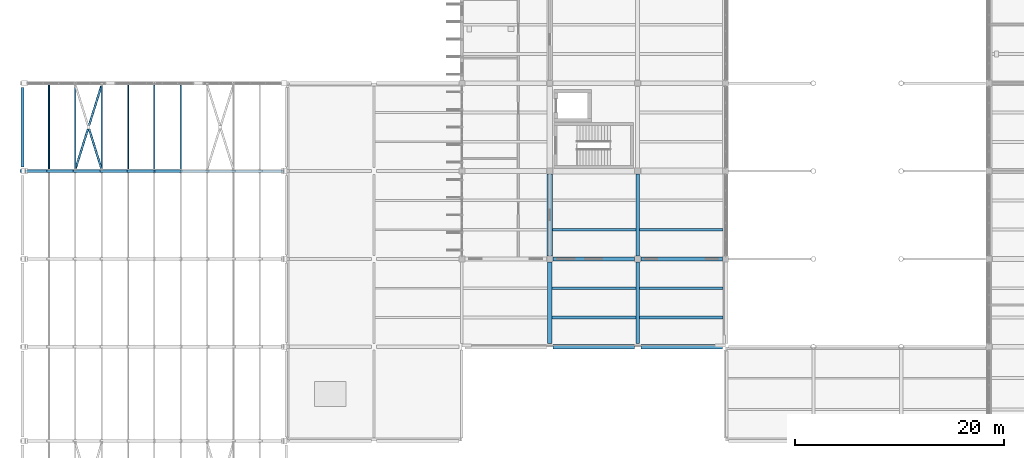
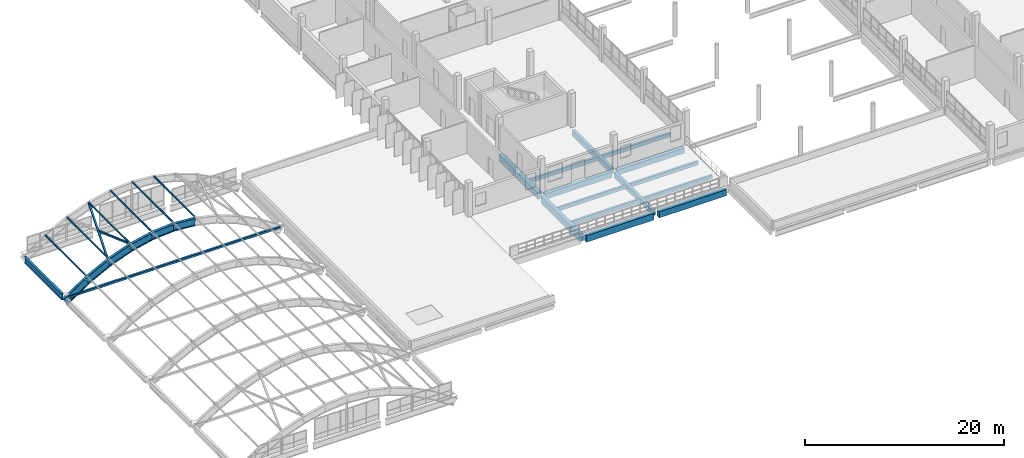
# One storey, part 14 of 130: 21 beams, 9 members.
"""IFC4 building model written with IfcOpenShell, lengths in metres."""

from ifc_helpers import new_model, si_unit, direction, frame, origin, origin_2d, place, context, subcontext, project, spatial, rectangle, hollow_rectangle, i_section, extrude, material, material_profile, profile_set, type_object, element, save


model = new_model("IFC4")

# Units and contexts
model_context = context("Model", 3, precision=1e-05, world=origin(), true_north=direction((0.0, 1.0)))
body_context = subcontext(model_context, "Body", "Model", "MODEL_VIEW")
ifc_project = project(units=[si_unit("LENGTHUNIT", "METRE"), si_unit("AREAUNIT", "SQUARE_METRE"), si_unit("VOLUMEUNIT", "CUBIC_METRE"), si_unit("PLANEANGLEUNIT", "RADIAN"), si_unit("MASSUNIT", "GRAM", prefix="KILO")], contexts=[model_context])

# Site, building, storey
site_placement = place(None, origin())
site = spatial("IfcSite", under=ifc_project, at=site_placement, CompositionType="ELEMENT")
building_placement = place(site_placement, origin())
building = spatial("IfcBuilding", under=site, at=building_placement, Name="Vireocrest Preparatory School", CompositionType="ELEMENT")
storey_placement = place(building_placement, frame((0.0, 0.0, 9.0)))
storey = spatial("IfcBuildingStorey", under=building, at=storey_placement, Name="L02", CompositionType="ELEMENT", Elevation=9.0)

# Members
ifc_material_1 = material(Name="Structural steel ASTM A500 Grade C", Category="steel")
ifc_material_profile_1 = material_profile(ifc_material_1, hollow_rectangle(XDim=0.15234375, YDim=0.15234375, WallThickness=0.0087890625, InnerFilletRadius=0.0087890625, OuterFilletRadius=0.017822265625, at=origin_2d()), Name="HSS6X6X3/8")
ifc_profile_set_1 = profile_set([ifc_material_profile_1], Name="Structural steel ASTM A500 Grade C")
member_type_1 = type_object("IfcMemberType", Name="Barrel Vault Steel Purlin HSS6X6X3/8", PredefinedType="PURLIN", material=ifc_profile_set_1)
for number, where, z_axis, x_axis, name in (
    (1, (2.52001953125, 43.947509765625, 1.32177734375), (0.0, 1.0, 0.0), (-1.0, 0.0, 0.0), "Sports Hall Barrel Vault Roof Purlin 5-2"),
    (2, (5.0400390625, 43.947509765625, 2.620849609375), (0.0, 1.0, 0.0), (-1.0, 0.0, 0.0), "Sports Hall Barrel Vault Roof Purlin 5-3"),
    (3, (7.56005859375, 43.947509765625, 3.552001953125), (0.0, 1.0, 0.0), (-1.0, 0.0, 0.0), "Sports Hall Barrel Vault Roof Purlin 5-4"),
    (4, (10.080078125, 43.947509765625, 4.114990234375), (0.0, 1.0, 0.0), (-1.0, 0.0, 0.0), "Sports Hall Barrel Vault Roof Purlin 5-5"),
    (5, (12.60009765625, 43.947509765625, 4.310302734375), (0.0, 1.0, 0.0), (-1.0, 0.0, 0.0), "Sports Hall Barrel Vault Roof Purlin 5-6"),
    (6, (15.1201171875, 43.947509765625, 4.114990234375), (0.0, 1.0, 0.0), (-1.0, 0.0, 0.0), "Sports Hall Barrel Vault Roof Purlin 5-7"),
):
    element("IfcMember", number, at=place(storey_placement, frame(where, z_axis=z_axis, x_axis=x_axis)), inside=storey, type_object=member_type_1, Name=name, PredefinedType="PURLIN", context=body_context, shape_type="SweptSolid", body=[
        extrude(hollow_rectangle(XDim=0.15234375, YDim=0.15234375, WallThickness=0.0087890625, InnerFilletRadius=0.0087890625, OuterFilletRadius=0.017822265625, at=origin_2d()), origin(), (0.0, 0.0, 1.0), 8.10498046875),
    ])

# Beams
ifc_material_2 = material(Name="Concrete 40 MPa", Category="concrete")
ifc_material_profile_2 = material_profile(ifc_material_2, rectangle(XDim=0.35009765625, YDim=0.64990234375, at=origin_2d()), Name="RC 350x650")
ifc_profile_set_2 = profile_set([ifc_material_profile_2], Name="Concrete 40 MPa")
beam_type_1 = type_object("IfcBeamType", Name="RC Classroom Girder 350x650", PredefinedType="BEAM", material=ifc_profile_set_2)
beam_1_placement = place(storey_placement, frame((58.800048828125, 27.300048828125, -0.64501953125), z_axis=(0.0, 1.0, 0.0), x_axis=(-1.0, 0.0, 0.0)))
element("IfcBeam", 7, at=beam_1_placement, inside=storey, type_object=beam_type_1, Name="Primary Girder B05 L02-0808", PredefinedType="BEAM", context=body_context, shape_type="SweptSolid", body=[
    extrude(rectangle(XDim=0.35009765625, YDim=0.64990234375, at=origin_2d()), origin(), (0.0, 0.0, 1.0), 7.800048828125),
])
ifc_material_profile_3 = material_profile(ifc_material_2, rectangle(XDim=0.449951171875, YDim=0.85009765625, at=origin_2d()), Name="RC 450x850")
ifc_profile_set_3 = profile_set([ifc_material_profile_3], Name="Concrete 40 MPa")
beam_type_2 = type_object("IfcBeamType", Name="RC Heavy Floor Girder 450x850", PredefinedType="BEAM", material=ifc_profile_set_3)
beam_2_placement = place(storey_placement, frame((50.39990234375, 27.300048828125, -0.7451171875), z_axis=(0.0, 1.0, 0.0), x_axis=(-1.0, 0.0, 0.0)))
element("IfcBeam", 8, at=beam_2_placement, inside=storey, type_object=beam_type_2, Name="Primary Girder B13 L02-0798", PredefinedType="BEAM", context=body_context, shape_type="SweptSolid", body=[
    extrude(rectangle(XDim=0.449951171875, YDim=0.85009765625, at=origin_2d()), origin(), (0.0, 0.0, 1.0), 7.800048828125),
])
ifc_material_profile_4 = material_profile(ifc_material_2, rectangle(XDim=0.35009765625, YDim=0.699951171875, at=origin_2d()), Name="RC 350x700")
ifc_profile_set_4 = profile_set([ifc_material_profile_4], Name="Concrete 40 MPa")
beam_type_3 = type_object("IfcBeamType", Name="RC Laboratory Girder 350x700", PredefinedType="BEAM", material=ifc_profile_set_4)
for number, where, z_axis, x_axis, name in (
    (9, (50.699951171875, 35.39990234375, -0.669921875), (1.0, 0.0, 0.0), (0.0, 1.0, 0.0), "Primary Girder B06 L02-0706"),
    (10, (58.800048828125, 35.699951171875, -0.590087890625), (0.0, 1.0, 0.0), (-1.0, 0.0, 0.0), "Primary Girder B06 L02-0809"),
):
    element("IfcBeam", number, at=place(storey_placement, frame(where, z_axis=z_axis, x_axis=x_axis)), inside=storey, type_object=beam_type_3, Name=name, PredefinedType="BEAM", context=body_context, shape_type="SweptSolid", body=[
        extrude(rectangle(XDim=0.35009765625, YDim=0.699951171875, at=origin_2d()), origin(), (0.0, 0.0, 1.0), 7.800048828125),
    ])
ifc_material_profile_5 = material_profile(ifc_material_2, rectangle(XDim=0.39990234375, YDim=0.64990234375, at=origin_2d()), Name="RC 400x650")
ifc_profile_set_5 = profile_set([ifc_material_profile_5], Name="Concrete 40 MPa")
beam_type_4 = type_object("IfcBeamType", Name="RC Laboratory Girder 400x650", PredefinedType="BEAM", material=ifc_profile_set_5)
beam_3_placement = place(storey_placement, frame((59.10009765625, 35.39990234375, -0.64501953125), z_axis=(1.0, 0.0, 0.0), x_axis=(0.0, 1.0, 0.0)))
element("IfcBeam", 11, at=beam_3_placement, inside=storey, type_object=beam_type_4, Name="Primary Girder B07 L02-0707", PredefinedType="BEAM", context=body_context, shape_type="SweptSolid", body=[
    extrude(rectangle(XDim=0.39990234375, YDim=0.64990234375, at=origin_2d()), origin(), (0.0, 0.0, 1.0), 7.7998046875),
])
ifc_material_profile_6 = material_profile(ifc_material_2, rectangle(XDim=0.39990234375, YDim=0.800048828125, at=origin_2d()), Name="RC 400x800")
ifc_profile_set_6 = profile_set([ifc_material_profile_6], Name="Concrete 40 MPa")
beam_type_5 = type_object("IfcBeamType", Name="RC Library Reading Girder 400x800", PredefinedType="BEAM", material=ifc_profile_set_6)
beam_4_placement = place(storey_placement, frame((50.699951171875, 27.0, -0.719970703125), z_axis=(1.0, 0.0, 0.0), x_axis=(0.0, 1.0, 0.0)))
element("IfcBeam", 12, at=beam_4_placement, inside=storey, type_object=beam_type_5, Name="Primary Girder B10 L02-0692", PredefinedType="BEAM", context=body_context, shape_type="SweptSolid", body=[
    extrude(rectangle(XDim=0.39990234375, YDim=0.800048828125, at=origin_2d()), origin(), (0.0, 0.0, 1.0), 7.800048828125),
])
ifc_material_profile_7 = material_profile(ifc_material_2, rectangle(XDim=0.449951171875, YDim=0.75, at=origin_2d()), Name="RC 450x750")
ifc_profile_set_7 = profile_set([ifc_material_profile_7], Name="Concrete 40 MPa")
beam_type_6 = type_object("IfcBeamType", Name="RC Library Stack Girder 450x750", PredefinedType="BEAM", material=ifc_profile_set_7)
beam_5_placement = place(storey_placement, frame((59.10009765625, 27.0, -0.695068359375), z_axis=(1.0, 0.0, 0.0), x_axis=(0.0, 1.0, 0.0)))
element("IfcBeam", 13, at=beam_5_placement, inside=storey, type_object=beam_type_6, Name="Primary Girder B11 L02-0693", PredefinedType="BEAM", context=body_context, shape_type="SweptSolid", body=[
    extrude(rectangle(XDim=0.449951171875, YDim=0.75, at=origin_2d()), origin(), (0.0, 0.0, 1.0), 7.7998046875),
])
ifc_material_profile_8 = material_profile(ifc_material_2, rectangle(XDim=0.5, YDim=0.85009765625, at=origin_2d()), Name="RC 500x850")
ifc_profile_set_8 = profile_set([ifc_material_profile_8], Name="Concrete 40 MPa")
beam_type_7 = type_object("IfcBeamType", Name="RC Podium Girder 500x850", PredefinedType="BEAM", material=ifc_profile_set_8)
beam_6_placement = place(storey_placement, frame((50.39990234375, 35.699951171875, -0.6650390625), z_axis=(0.0, 1.0, 0.0), x_axis=(-1.0, 0.0, 0.0)))
element("IfcBeam", 14, at=beam_6_placement, inside=storey, type_object=beam_type_7, Name="Primary Girder B14 L02-0799", PredefinedType="BEAM", context=body_context, shape_type="SweptSolid", body=[
    extrude(rectangle(XDim=0.5, YDim=0.85009765625, at=origin_2d()), origin(), (0.0, 0.0, 1.0), 7.800048828125),
])
ifc_material_profile_9 = material_profile(ifc_material_2, rectangle(XDim=0.25, YDim=0.449951171875, at=origin_2d()), Name="RC 250x450")
ifc_profile_set_9 = profile_set([ifc_material_profile_9], Name="Concrete 40 MPa")
beam_type_8 = type_object("IfcBeamType", Name="RC Secondary Floor Joist 250x450", PredefinedType="JOIST", material=ifc_profile_set_9)
for number, where, z_axis, x_axis, name in (
    (15, (50.625, 29.800048828125, -0.544921875), (1.0, 0.0, 0.0), (0.0, 1.0, 0.0), "Secondary Joist J01 L02-0910"),
    (16, (50.625, 32.60009765625, -0.544921875), (1.0, 0.0, 0.0), (0.0, 1.0, 0.0), "Secondary Joist J01 L02-0911"),
):
    element("IfcBeam", number, at=place(storey_placement, frame(where, z_axis=z_axis, x_axis=x_axis)), inside=storey, type_object=beam_type_8, Name=name, PredefinedType="JOIST", context=body_context, shape_type="SweptSolid", body=[
        extrude(rectangle(XDim=0.25, YDim=0.449951171875, at=origin_2d()), origin(), (0.0, 0.0, 1.0), 8.0),
    ])
beam_7_placement = place(storey_placement, frame((50.64990234375, 38.199951171875, -0.465087890625), z_axis=(1.0, 0.0, 0.0), x_axis=(0.0, 1.0, 0.0)))
element("IfcBeam", 17, at=beam_7_placement, inside=storey, type_object=beam_type_8, Name="Secondary Joist J01 L02-0912", PredefinedType="JOIST", context=body_context, shape_type="SweptSolid", body=[
    extrude(rectangle(XDim=0.25, YDim=0.449951171875, at=origin_2d()), origin(), (0.0, 0.0, 1.0), 7.97509765625),
])
for number, where, z_axis, x_axis, name in (
    (18, (58.97509765625, 29.800048828125, -0.544921875), (1.0, 0.0, 0.0), (0.0, 1.0, 0.0), "Secondary Joist J01 L02-0926"),
    (19, (58.97509765625, 32.60009765625, -0.544921875), (1.0, 0.0, 0.0), (0.0, 1.0, 0.0), "Secondary Joist J01 L02-0927"),
    (20, (58.97509765625, 38.199951171875, -0.465087890625), (1.0, 0.0, 0.0), (0.0, 1.0, 0.0), "Secondary Joist J01 L02-0928"),
):
    element("IfcBeam", number, at=place(storey_placement, frame(where, z_axis=z_axis, x_axis=x_axis)), inside=storey, type_object=beam_type_8, Name=name, PredefinedType="JOIST", context=body_context, shape_type="SweptSolid", body=[
        extrude(rectangle(XDim=0.25, YDim=0.449951171875, at=origin_2d()), origin(), (0.0, 0.0, 1.0), 7.974853515625),
    ])
ifc_material_3 = material(Name="Structural steel ASTM A992 Grade 50", Category="steel")
ifc_material_profile_10 = material_profile(ifc_material_3, i_section(OverallWidth=0.304931640625, OverallDepth=0.912109375, WebThickness=0.015869140625, FlangeThickness=0.02392578125, FilletRadius=0.02392578125, at=origin_2d()), Name="W36X150")
ifc_profile_set_10 = profile_set([ifc_material_profile_10], Name="Structural steel ASTM A992 Grade 50")
beam_type_9 = type_object("IfcBeamType", Name="Sports Hall Barrel Vault Arch Rib W36X150", PredefinedType="BEAM", material=ifc_profile_set_10)
beam_8_placement = place(storey_placement, frame((0.0, 43.800048828125, -0.944091796875), z_axis=(0.835706541366, 0.0, 0.54917627108), x_axis=(0.0, 1.0, 0.0)))
element("IfcBeam", 21, at=beam_8_placement, inside=storey, type_object=beam_type_9, Name="Sports Hall Barrel Vault Roof Arch Rib 5 Seg 1", PredefinedType="BEAM", context=body_context, shape_type="SweptSolid", body=[
    extrude(i_section(OverallWidth=0.304931640625, OverallDepth=0.912109375, WebThickness=0.015869140625, FlangeThickness=0.02392578125, FilletRadius=0.02392578125, at=origin_2d()), origin(), (0.0, 0.0, 1.0), 3.015380859375),
])
beam_9_placement = place(storey_placement, frame((2.52001953125, 43.800048828125, 0.745361328125), z_axis=(0.888848104135, 0.0, 0.458201972689), x_axis=(0.0, 1.0, 0.0)))
element("IfcBeam", 22, at=beam_9_placement, inside=storey, type_object=beam_type_9, Name="Sports Hall Barrel Vault Roof Arch Rib 5 Seg 2", PredefinedType="BEAM", context=body_context, shape_type="SweptSolid", body=[
    extrude(i_section(OverallWidth=0.304931640625, OverallDepth=0.912109375, WebThickness=0.015869140625, FlangeThickness=0.02392578125, FilletRadius=0.02392578125, at=origin_2d()), origin(), (0.0, 0.0, 1.0), 2.835205078125),
])
beam_10_placement = place(storey_placement, frame((5.0400390625, 43.800048828125, 2.0712890625), z_axis=(0.938043310504, 0.0, 0.346518033613), x_axis=(0.0, 1.0, 0.0)))
element("IfcBeam", 23, at=beam_10_placement, inside=storey, type_object=beam_type_9, Name="Sports Hall Barrel Vault Roof Arch Rib 5 Seg 3", PredefinedType="BEAM", context=body_context, shape_type="SweptSolid", body=[
    extrude(i_section(OverallWidth=0.304931640625, OverallDepth=0.912109375, WebThickness=0.015869140625, FlangeThickness=0.02392578125, FilletRadius=0.02392578125, at=origin_2d()), origin(), (0.0, 0.0, 1.0), 2.6865234375),
])
beam_11_placement = place(storey_placement, frame((7.56005859375, 43.800048828125, 3.02099609375), z_axis=(0.975941722244, 0.0, 0.218031545388), x_axis=(0.0, 1.0, 0.0)))
element("IfcBeam", 24, at=beam_11_placement, inside=storey, type_object=beam_type_9, Name="Sports Hall Barrel Vault Roof Arch Rib 5 Seg 4", PredefinedType="BEAM", context=body_context, shape_type="SweptSolid", body=[
    extrude(i_section(OverallWidth=0.304931640625, OverallDepth=0.912109375, WebThickness=0.015869140625, FlangeThickness=0.02392578125, FilletRadius=0.02392578125, at=origin_2d()), origin(), (0.0, 0.0, 1.0), 2.58203125),
])
for number, where, z_axis, x_axis, name in (
    (25, (10.080078125, 43.800048828125, 3.59375), (0.997017437862, 0.0, 0.077176606554), (0.0, 1.0, 0.0), "Sports Hall Barrel Vault Roof Arch Rib 5 Seg 5"),
    (26, (12.60009765625, 43.800048828125, 3.788818359375), (0.997017437862, 0.0, -0.077176606554), (0.0, 1.0, 0.0), "Sports Hall Barrel Vault Roof Arch Rib 5 Seg 6"),
):
    element("IfcBeam", number, at=place(storey_placement, frame(where, z_axis=z_axis, x_axis=x_axis)), inside=storey, type_object=beam_type_9, Name=name, PredefinedType="BEAM", context=body_context, shape_type="SweptSolid", body=[
        extrude(i_section(OverallWidth=0.304931640625, OverallDepth=0.912109375, WebThickness=0.015869140625, FlangeThickness=0.02392578125, FilletRadius=0.02392578125, at=origin_2d()), origin(), (0.0, 0.0, 1.0), 2.527587890625),
    ])
ifc_material_profile_11 = material_profile(ifc_material_3, i_section(OverallWidth=0.26708984375, OverallDepth=0.758056640625, WebThickness=0.013916015625, FlangeThickness=0.019287109375, FilletRadius=0.01904296875, at=origin_2d()), Name="W30X108")
ifc_profile_set_11 = profile_set([ifc_material_profile_11], Name="Structural steel ASTM A992 Grade 50")
beam_type_10 = type_object("IfcBeamType", Name="Sports Hall Vault Ring Beam W30X108", PredefinedType="BEAM", material=ifc_profile_set_11)
beam_12_placement = place(storey_placement, frame((0.0, 44.199951171875, -0.59912109375), z_axis=(0.0, 1.0, 0.0), x_axis=(-1.0, 0.0, 0.0)))
element("IfcBeam", 27, at=beam_12_placement, inside=storey, type_object=beam_type_10, Name="Sports Hall Barrel Vault Roof Ring Beam W 43.8-52.2", PredefinedType="BEAM", context=body_context, shape_type="SweptSolid", body=[
    extrude(i_section(OverallWidth=0.26708984375, OverallDepth=0.758056640625, WebThickness=0.013916015625, FlangeThickness=0.019287109375, FilletRadius=0.01904296875, at=origin_2d()), origin(), (0.0, 0.0, 1.0), 7.60009765625),
])

# Members
ifc_material_profile_12 = material_profile(ifc_material_1, hollow_rectangle(XDim=0.25390625, YDim=0.25390625, WallThickness=0.01171875, InnerFilletRadius=0.01171875, OuterFilletRadius=0.023681640625, at=origin_2d()), Name="HSS10X10X1/2")
ifc_profile_set_12 = profile_set([ifc_material_profile_12], Name="Structural steel ASTM A500 Grade C")
member_type_2 = type_object("IfcMemberType", Name="Sports Hall Vault Springing Tie Rod HSS10X10X1/2", PredefinedType="CHORD", material=ifc_profile_set_12)
member_1_placement = place(storey_placement, frame((0.25, 43.800048828125, -0.51416015625), z_axis=(1.0, 0.0, 0.0), x_axis=(0.0, 1.0, 0.0)))
element("IfcMember", 28, at=member_1_placement, inside=storey, type_object=member_type_2, Name="Sports Hall Barrel Vault Roof Vault Springing Tie Rod VT1-5", PredefinedType="CHORD", context=body_context, shape_type="SweptSolid", body=[
    extrude(hollow_rectangle(XDim=0.25390625, YDim=0.25390625, WallThickness=0.01171875, InnerFilletRadius=0.01171875, OuterFilletRadius=0.023681640625, at=origin_2d()), origin(), (0.0, 0.0, 1.0), 24.699951171875),
])
ifc_material_profile_13 = material_profile(ifc_material_1, hollow_rectangle(XDim=0.203125, YDim=0.203125, WallThickness=0.0087890625, InnerFilletRadius=0.0087890625, OuterFilletRadius=0.017822265625, at=origin_2d()), Name="HSS8X8X3/8")
ifc_profile_set_13 = profile_set([ifc_material_profile_13], Name="Structural steel ASTM A500 Grade C")
member_type_3 = type_object("IfcMemberType", Name="Vault Roof Wind X-Brace HSS8X8X3/8", PredefinedType="BRACE", material=ifc_profile_set_13)
member_2_placement = place(storey_placement, frame((5.0400390625, 43.952392578125, 2.52978515625), z_axis=(0.295494449886, 0.949235125878, 0.107868929197), x_axis=(-0.954806302093, 0.297228742693, 0.0)))
element("IfcMember", 29, at=member_2_placement, inside=storey, type_object=member_type_3, Name="Sports Hall Barrel Vault Roof Roof Wind Brace 5-3", PredefinedType="BRACE", context=body_context, shape_type="SweptSolid", body=[
    extrude(hollow_rectangle(XDim=0.203125, YDim=0.203125, WallThickness=0.0087890625, InnerFilletRadius=0.0087890625, OuterFilletRadius=0.017822265625, at=origin_2d()), origin(), (0.0, 0.0, 1.0), 8.528076171875),
])
member_3_placement = place(storey_placement, frame((6.33837890625, 47.876708984375, 3.00390625), z_axis=(0.295506663199, -0.949235432507, 0.107832767187), x_axis=(0.95480284286, 0.297239854776, 0.0)))
element("IfcMember", 30, at=member_3_placement, inside=storey, type_object=member_type_3, Name="Sports Hall Barrel Vault Roof Split Roof X-Brace 5-3-2", PredefinedType="BRACE", context=body_context, shape_type="SweptSolid", body=[
    extrude(hollow_rectangle(XDim=0.203125, YDim=0.203125, WallThickness=0.0087890625, InnerFilletRadius=0.0087890625, OuterFilletRadius=0.017822265625, at=origin_2d()), origin(), (0.0, 0.0, 1.0), 4.13427734375),
])

save(model, "model.ifc")
